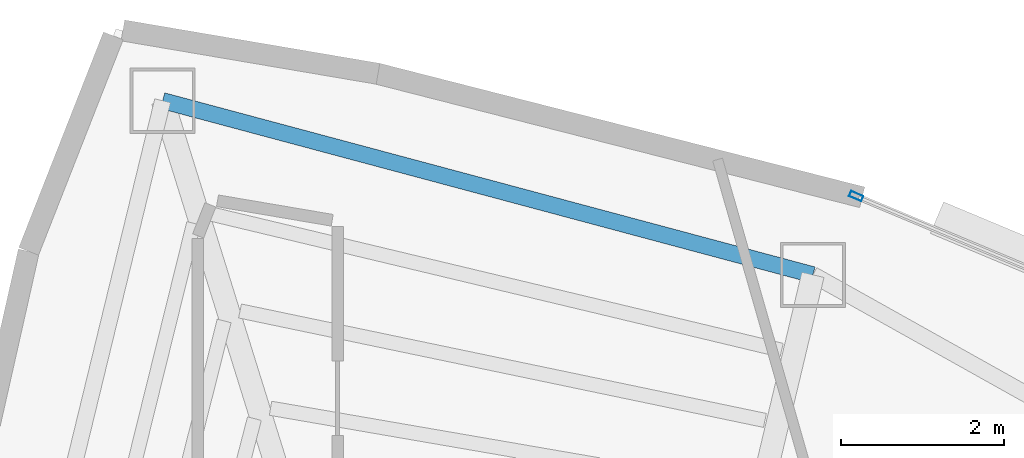
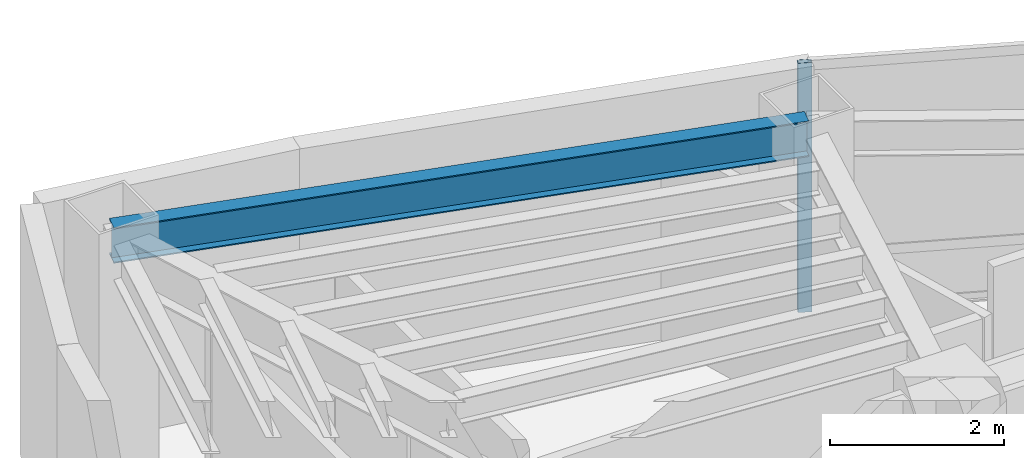
# One storey, part 9 of 15: 1 beam, 1 member, 1 element without a shape of its own.
"""IFC4 building model written with IfcOpenShell, lengths in metres."""

import ifcopenshell
import ifcopenshell.guid

model = None  # the IFC model being written
_history = None  # IfcOwnerHistory: only IFC2X3 demands one
_inside = {}  # id of a spatial element -> (the spatial element, [elements in it])
_under = {}  # id of a project, library or spatial element -> (it, [spatial elements below it])
_declared = {}  # id of a project -> (the project, [libraries it declares])
_typed = {}  # id of a type object -> (the type object, [elements of that type])
_made_of = {}  # id of a material, layer set ... -> (it, [elements and type objects made of it])


def new_model(schema):
    """Start an empty IFC model of exactly this schema.

    Asked for "IFC4X3", IfcOpenShell would pick the latest addendum, in which some entities
    have other attributes; the version numbers below select the first issue.
    IFC2X3 requires an IfcOwnerHistory on every rooted entity: one is made here for all.
    """
    global model, _history
    if schema == "IFC4X3":
        model = ifcopenshell.file(schema_version=(4, 3, 0, 0))
    else:
        model = ifcopenshell.file(schema=schema)
    _inside.clear()
    _under.clear()
    _declared.clear()
    _typed.clear()
    _made_of.clear()
    _history = None
    if model.schema == "IFC2X3":
        org = make("IfcOrganization", Name="unknown")
        user = make(
            "IfcPersonAndOrganization",
            ThePerson=make("IfcPerson", FamilyName="unknown"),
            TheOrganization=org,
        )
        app = make(
            "IfcApplication",
            ApplicationDeveloper=org,
            Version="unknown",
            ApplicationFullName="unknown",
            ApplicationIdentifier="unknown",
        )
        _history = make(
            "IfcOwnerHistory",
            OwningUser=user,
            OwningApplication=app,
            ChangeAction="ADDED",
            CreationDate=0,
        )
    return model


def make(cls, **values):
    """One entity of the class cls with the attributes given. An attribute that is None is left unset."""
    return model.create_entity(
        cls, **{name: value for name, value in values.items() if value is not None}
    )


def rooted(cls, **values):
    """An entity with a GlobalId (a new one), such as an element, a storey or a relation."""
    return make(cls, GlobalId=ifcopenshell.guid.new(), OwnerHistory=_history, **values)


def si_unit(unit_type, name, prefix=None):
    """IfcSIUnit, for example si_unit("LENGTHUNIT", "METRE", prefix="MILLI")."""
    return make("IfcSIUnit", UnitType=unit_type, Prefix=prefix, Name=name)


def assignment(units):
    """IfcUnitAssignment: the units of a project."""
    return None if units is None else make("IfcUnitAssignment", Units=units)


def point(xyz):
    """IfcCartesianPoint."""
    return None if xyz is None else make("IfcCartesianPoint", Coordinates=xyz)


def direction(xyz):
    """IfcDirection."""
    return None if xyz is None else make("IfcDirection", DirectionRatios=xyz)


def frame(location, z_axis=None, x_axis=None):
    """IfcAxis2Placement3D, a coordinate frame: its origin and axes. An axis left out is left unset."""
    return make(
        "IfcAxis2Placement3D",
        Location=point(location),
        Axis=direction(z_axis),
        RefDirection=direction(x_axis),
    )


def frame_2d(location, x_axis=None):
    """IfcAxis2Placement2D, a coordinate frame in the plane: its origin and x axis."""
    return make(
        "IfcAxis2Placement2D", Location=point(location), RefDirection=direction(x_axis)
    )


def origin():
    """The frame at (0, 0, 0) with its axes left unset."""
    return frame((0.0, 0.0, 0.0))


def origin_2d():
    """The frame at (0, 0) in the plane with its x axis left unset."""
    return frame_2d((0.0, 0.0))


def place(relative_to, where):
    """IfcLocalPlacement: puts the frame where relative to a parent placement (None: the world)."""
    return make(
        "IfcLocalPlacement", PlacementRelTo=relative_to, RelativePlacement=where
    )


def context(
    kind, dimensions, precision=None, world=None, true_north=None, identifier=None
):
    """IfcGeometricRepresentationContext, for example the 3D "Model" context."""
    return make(
        "IfcGeometricRepresentationContext",
        ContextIdentifier=identifier,
        ContextType=kind,
        CoordinateSpaceDimension=dimensions,
        Precision=precision,
        WorldCoordinateSystem=world,
        TrueNorth=true_north,
    )


def subcontext(parent, identifier, kind, view, scale=None):
    """IfcGeometricRepresentationSubContext, for example "Body" below "Model"."""
    return make(
        "IfcGeometricRepresentationSubContext",
        ContextIdentifier=identifier,
        ContextType=kind,
        ParentContext=parent,
        TargetScale=scale,
        TargetView=view,
    )


def project(units=None, contexts=None):
    """IfcProject with its units and contexts."""
    return rooted(
        "IfcProject",
        Name="project",
        RepresentationContexts=contexts,
        UnitsInContext=assignment(units),
    )


def spatial(cls, under=None, at=None, **own):
    """A site, building, storey or space (cls), placed at a placement, below another one or the project."""
    s = rooted(cls, ObjectPlacement=at, **own)
    if under is not None:
        _under.setdefault(under.id(), (under, []))[1].append(s)
    return s


def profile(cls, at=None, kind="AREA", **sizes):
    """A parametric profile (cls). Its sizes go by their IFC names, for example OverallWidth=200.0."""
    return make(cls, ProfileType=kind, Position=at, **sizes)


def hollow_rectangle(**sizes):
    """IfcRectangleHollowProfileDef."""
    return profile("IfcRectangleHollowProfileDef", **sizes)


def i_section(**sizes):
    """IfcIShapeProfileDef."""
    return profile("IfcIShapeProfileDef", **sizes)


def extrude(swept, where, along, depth):
    """IfcExtrudedAreaSolid: the profile swept, set in the frame where, extruded along a direction by depth."""
    return make(
        "IfcExtrudedAreaSolid",
        SweptArea=swept,
        Position=where,
        ExtrudedDirection=direction(along),
        Depth=depth,
    )


def shape(context_of_items, identifier, shape_type, items):
    """IfcShapeRepresentation: the items that make up one representation, for example the "Body"."""
    return make(
        "IfcShapeRepresentation",
        ContextOfItems=context_of_items,
        RepresentationIdentifier=identifier,
        RepresentationType=shape_type,
        Items=items,
    )


def material(Name=None, Category=None):
    """IfcMaterial."""
    return make("IfcMaterial", Name=Name, Category=Category)


def layer(
    of_material, thickness, ventilated=None, Name=None, Category=None, Priority=None
):
    """IfcMaterialLayer: one layer of a wall or slab, of a material (None: an air gap)."""
    return make(
        "IfcMaterialLayer",
        Material=of_material,
        LayerThickness=thickness,
        IsVentilated=ventilated,
        Name=Name,
        Category=Category,
        Priority=Priority,
    )


def layer_set(layers, Name=None):
    """IfcMaterialLayerSet."""
    return make("IfcMaterialLayerSet", MaterialLayers=layers, LayerSetName=Name)


def material_profile(
    of_material, cross_section, Name=None, Category=None, Priority=None
):
    """IfcMaterialProfile: a cross section and its material."""
    return make(
        "IfcMaterialProfile",
        Name=Name,
        Material=of_material,
        Profile=cross_section,
        Priority=Priority,
        Category=Category,
    )


def profile_set(profiles, Name=None, composite=None):
    """IfcMaterialProfileSet."""
    return make(
        "IfcMaterialProfileSet",
        Name=Name,
        MaterialProfiles=profiles,
        CompositeProfile=composite,
    )


def made_of(thing, what):
    """Note that an element or type object is made of a material, layer set ...; save() writes the relation."""
    if what is not None:
        _made_of.setdefault(what.id(), (what, []))[1].append(thing)
    return thing


def type_object(cls, material=None, **own):
    """A type object (cls), such as IfcWallType, which elements share."""
    return made_of(rooted(cls, **own), material)


def element(
    cls,
    number,
    at=None,
    inside=None,
    cuts=None,
    type_object=None,
    material=None,
    context=None,
    identifier="Body",
    shape_type=None,
    held_by="IfcProductDefinitionShape",
    body=None,
    shapes=None,
    **own,
):
    """One element of the class cls, such as IfcWall. Its Tag is "e" and its number.

    at: its placement. inside: the storey or other place that contains it. cuts: it is an
    opening in that element (IfcRelVoidsElement). A single representation is given by context,
    identifier, shape_type and body (its items); several are given by shapes. held_by: the class
    of the entity that holds the representations. save() writes the other relations.
    """
    e = rooted(cls, Tag="e%d" % number, ObjectPlacement=at, **own)
    if body is not None:
        shapes = [shape(context, identifier, shape_type, body)]
    if shapes is not None:
        e.Representation = make(held_by, Representations=shapes)
    if inside is not None:
        _inside.setdefault(inside.id(), (inside, []))[1].append(e)
    if cuts is not None:
        rooted(
            "IfcRelVoidsElement", RelatingBuildingElement=cuts, RelatedOpeningElement=e
        )
    if type_object is not None:
        _typed.setdefault(type_object.id(), (type_object, []))[1].append(e)
    return made_of(e, material)


def aggregate(whole, parts):
    """IfcRelAggregates: a whole, such as a stair, and the parts it consists of."""
    return rooted("IfcRelAggregates", RelatingObject=whole, RelatedObjects=parts)


def save(model, path):
    """Write the relations noted so far, then the file.

    IfcRelAggregates (storeys below a building ...), IfcRelContainedInSpatialStructure (elements
    in a storey), IfcRelDefinesByType, IfcRelAssociatesMaterial and IfcRelDeclares: one each for
    every whole, place, type object, material and project.
    """
    for whole, parts in _under.values():
        aggregate(whole, parts)
    for where, things in _inside.values():
        rooted(
            "IfcRelContainedInSpatialStructure",
            RelatedElements=things,
            RelatingStructure=where,
        )
    for kind, things in _typed.values():
        rooted("IfcRelDefinesByType", RelatedObjects=things, RelatingType=kind)
    for what, things in _made_of.values():
        rooted("IfcRelAssociatesMaterial", RelatedObjects=things, RelatingMaterial=what)
    for by, libraries in _declared.values():
        rooted("IfcRelDeclares", RelatingContext=by, RelatedDefinitions=libraries)
    model.write(path)


model = new_model("IFC4")

# Units and contexts
model_context = context("Model", 3, precision=1e-05, world=origin(), true_north=direction((0.0, 1.0)))
body_context = subcontext(model_context, "Body", "Model", "MODEL_VIEW")
ifc_project = project(units=[si_unit("LENGTHUNIT", "METRE"), si_unit("AREAUNIT", "SQUARE_METRE"), si_unit("VOLUMEUNIT", "CUBIC_METRE"), si_unit("PLANEANGLEUNIT", "RADIAN"), si_unit("MASSUNIT", "GRAM", prefix="KILO")], contexts=[model_context])

# Site, building, storey
site_placement = place(None, origin())
site = spatial("IfcSite", under=ifc_project, at=site_placement, CompositionType="ELEMENT")
building_placement = place(site_placement, origin())
building = spatial("IfcBuilding", under=site, at=building_placement, Name="Menara Vayukalpa", CompositionType="ELEMENT")
storey_placement = place(building_placement, frame((0.0, 0.0, 288.06005859375)))
storey = spatial("IfcBuildingStorey", under=building, at=storey_placement, Name="L73", CompositionType="ELEMENT", Elevation=288.06005859375)

# Beam
ifc_material_1 = material(Name="Steel S355", Category="steel")
ifc_material_profile_1 = material_profile(ifc_material_1, i_section(OverallWidth=0.199951171875, OverallDepth=0.5, WebThickness=0.010009765625, FlangeThickness=0.01611328125, at=origin_2d()), Name="WF 500x200x10x16")
ifc_profile_set_1 = profile_set([ifc_material_profile_1], Name="Steel S355")
beam_type = type_object("IfcBeamType", Name="BM-SP3", PredefinedType="SPANDREL", material=ifc_profile_set_1)
beam_placement = place(storey_placement, frame((23.3818359375, 32.40478515625, 3.25), z_axis=(-0.965978332552, 0.258623009494, 0.0), x_axis=(-0.258623009494, -0.965978332552, 0.0)))
element("IfcBeam", 1, at=beam_placement, inside=storey, type_object=beam_type, Name="L73 Perimeter Spandrel Beam SP03", PredefinedType="SPANDREL", context=body_context, shape_type="SweptSolid", body=[
    extrude(i_section(OverallWidth=0.199951171875, OverallDepth=0.5, WebThickness=0.010009765625, FlangeThickness=0.01611328125, at=origin_2d()), origin(), (0.0, 0.0, 1.0), 8.274169921875),
])

# Curtain wall, member
ifc_material_2 = material(Name="Anodised Terracotta Aluminium Alloy 6063-T6", Category="masonry")
ifc_layer = layer(ifc_material_2, 0.1650390625)
ifc_layer_set = layer_set([ifc_layer], Name="Anodised Terracotta Aluminium Alloy 6063-T6")
curtain_wall_type = type_object("IfcCurtainWallType", Name="CW-CW6", PredefinedType="USERDEFINED", material=ifc_layer_set)
curtain_wall_placement = place(storey_placement, origin())
curtain_wall = element("IfcCurtainWall", 2, at=curtain_wall_placement, inside=storey, type_object=curtain_wall_type, Name="L73 Observation and Executive Curtain Wall CW6 05", ObjectType="UNITISED", PredefinedType="USERDEFINED")
ifc_material_3 = material(Name="Anodised Terracotta Aluminium Alloy 6063-T6", Category="masonry")
ifc_material_profile_2 = material_profile(ifc_material_3, hollow_rectangle(XDim=0.070068359375, YDim=0.1650390625, WallThickness=0.00390625, at=origin_2d()), Name="ALU 70x165x4")
ifc_profile_set_2 = profile_set([ifc_material_profile_2], Name="Anodised Terracotta Aluminium Alloy 6063-T6")
member_type = type_object("IfcMemberType", Name="CWM-CW6", PredefinedType="MULLION", material=ifc_profile_set_2)
member_placement = place(storey_placement, frame((23.913330078125, 33.37158203125, 0.0), z_axis=(0.0, 0.0, 1.0), x_axis=(-0.385899911703, -0.922540653927, 0.0)))
member = element("IfcMember", 3, at=member_placement, type_object=member_type, Name="CW6 mullion 3", PredefinedType="MULLION", context=body_context, shape_type="SweptSolid", body=[
    extrude(hollow_rectangle(XDim=0.070068359375, YDim=0.1650390625, WallThickness=0.00390625, at=origin_2d()), origin(), (0.0, 0.0, 1.0), 3.5),
])
aggregate(curtain_wall, [member])

save(model, "model.ifc")
